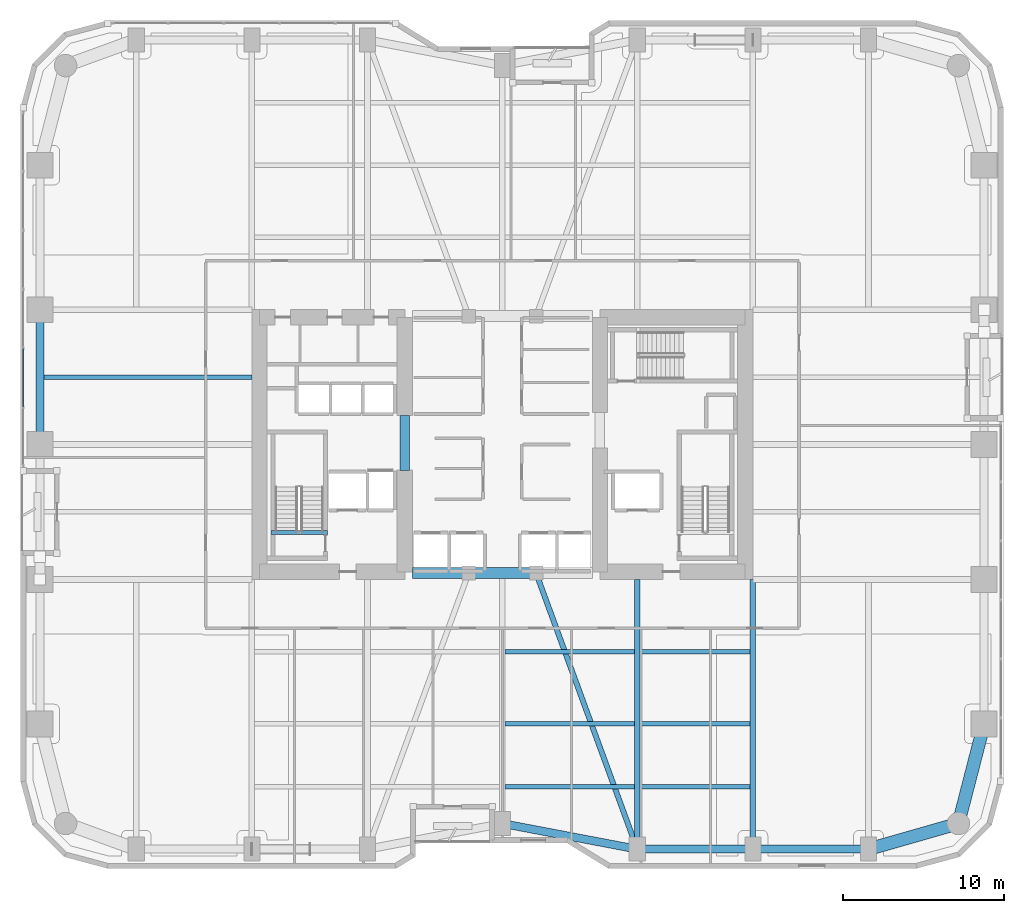
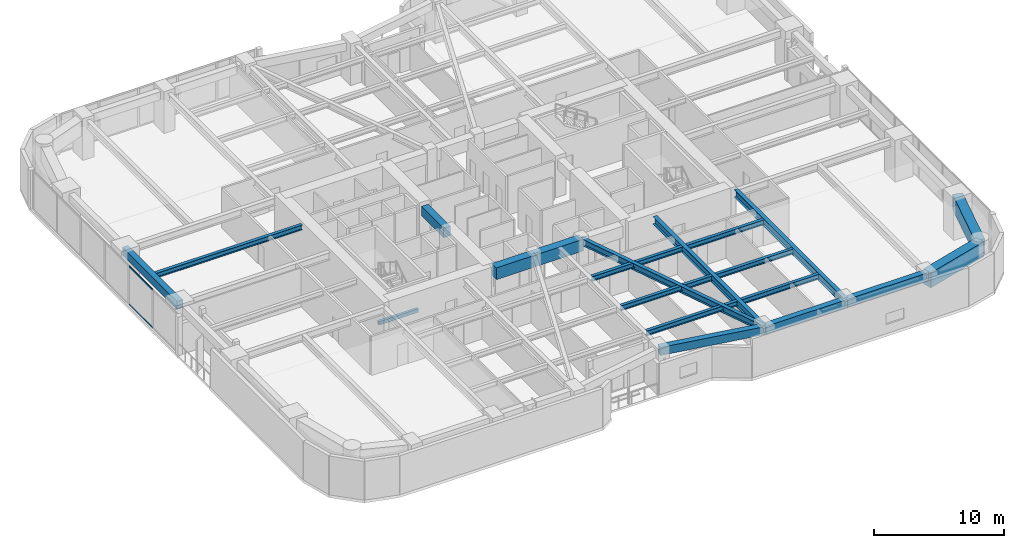
# One storey, part 3 of 28: 20 beams, 2 members, 1 element without a shape of its own.
"""IFC4 building model written with IfcOpenShell, lengths in metres."""

from ifc_helpers import new_model, si_unit, direction, frame, origin, origin_2d, place, context, subcontext, project, spatial, rectangle, hollow_rectangle, i_section, extrude, material, layer, layer_set, material_profile, profile_set, type_object, element, aggregate, save


model = new_model("IFC4")

# Units and contexts
model_context = context("Model", 3, precision=1e-05, world=origin(), true_north=direction((0.0, 1.0)))
body_context = subcontext(model_context, "Body", "Model", "MODEL_VIEW")
ifc_project = project(units=[si_unit("LENGTHUNIT", "METRE"), si_unit("AREAUNIT", "SQUARE_METRE"), si_unit("VOLUMEUNIT", "CUBIC_METRE"), si_unit("PLANEANGLEUNIT", "RADIAN"), si_unit("MASSUNIT", "GRAM", prefix="KILO")], contexts=[model_context])

# Site, building, storey
site_placement = place(None, origin())
site = spatial("IfcSite", under=ifc_project, at=site_placement, CompositionType="ELEMENT")
building_placement = place(site_placement, origin())
building = spatial("IfcBuilding", under=site, at=building_placement, Name="Kiyonajd Concourse Tower", CompositionType="ELEMENT")
storey_placement = place(building_placement, frame((0.0, 0.0, 64.5)))
storey = spatial("IfcBuildingStorey", under=building, at=storey_placement, Name="L17", CompositionType="ELEMENT", Elevation=64.5)

# Beams
ifc_material_1 = material(Name="Concrete C70/85", Category="concrete")
ifc_material_profile_1 = material_profile(ifc_material_1, rectangle(XDim=0.699951171875, YDim=1.10009765625, at=origin_2d()), Name="RCBM-700x1100")
ifc_profile_set_1 = profile_set([ifc_material_profile_1], Name="Concrete C70/85")
beam_type_1 = type_object("IfcBeamType", Name="BM-COUP-1100", PredefinedType="LINTEL", material=ifc_profile_set_1)
beam_1_placement = place(storey_placement, frame((42.39990234375, 28.0, 3.090087890625), z_axis=(1.0, 0.0, 0.0), x_axis=(0.0, 1.0, 0.0)))
element("IfcBeam", 1, at=beam_1_placement, inside=storey, type_object=beam_type_1, Name="L17 Core Coupling Beam S1", PredefinedType="LINTEL", context=body_context, shape_type="SweptSolid", body=[
    extrude(rectangle(XDim=0.699951171875, YDim=1.10009765625, at=origin_2d()), origin(), (0.0, 0.0, 1.0), 3.5),
])
beam_2_placement = place(storey_placement, frame((45.89990234375, 28.0, 3.090087890625), z_axis=(1.0, 0.0, 0.0), x_axis=(0.0, 1.0, 0.0)))
element("IfcBeam", 2, at=beam_2_placement, inside=storey, type_object=beam_type_1, Name="L17 Core Coupling Beam S2", PredefinedType="LINTEL", context=body_context, shape_type="SweptSolid", body=[
    extrude(rectangle(XDim=0.699951171875, YDim=1.10009765625, at=origin_2d()), origin(), (0.0, 0.0, 1.0), 4.2001953125),
])
ifc_material_2 = material(Name="Concrete C60/75", Category="concrete")
ifc_material_profile_2 = material_profile(ifc_material_2, rectangle(XDim=0.60009765625, YDim=0.89990234375, at=origin_2d()), Name="RCBM-600x900")
ifc_profile_set_2 = profile_set([ifc_material_profile_2], Name="Concrete C60/75")
beam_type_2 = type_object("IfcBeamType", Name="BM-COUP-900", PredefinedType="LINTEL", material=ifc_profile_set_2)
beam_3_placement = place(storey_placement, frame((41.925048828125, 34.39990234375, 3.090087890625), z_axis=(0.0, 1.0, 0.0), x_axis=(-1.0, 0.0, 0.0)))
element("IfcBeam", 3, at=beam_3_placement, inside=storey, type_object=beam_type_2, Name="L17 West Core Throat Coupling Lintel", PredefinedType="LINTEL", context=body_context, shape_type="SweptSolid", body=[
    extrude(rectangle(XDim=0.60009765625, YDim=0.89990234375, at=origin_2d()), origin(), (0.0, 0.0, 1.0), 3.400146484375),
])
ifc_material_3 = material(Name="Steel ASTM A992 Grade 50", Category="steel")
ifc_material_profile_3 = material_profile(ifc_material_3, i_section(OverallWidth=0.280029296875, OverallDepth=0.462890625, WebThickness=0.0107421875, FlangeThickness=0.017333984375, at=origin_2d()), Name="W460X113")
ifc_profile_set_3 = profile_set([ifc_material_profile_3], Name="Steel ASTM A992 Grade 50")
beam_type_3 = type_object("IfcBeamType", Name="BM-JST-460A", PredefinedType="JOIST", material=ifc_profile_set_3)
beam_4_placement = place(storey_placement, frame((48.177490234375, 14.699951171875, 3.408447265625), z_axis=(1.0, 0.0, 0.0), x_axis=(0.0, 1.0, 0.0)))
element("IfcBeam", 4, at=beam_4_placement, inside=storey, type_object=beam_type_3, Name="L17 Secondary Floor Joist", PredefinedType="JOIST", context=body_context, shape_type="SweptSolid", body=[
    extrude(i_section(OverallWidth=0.280029296875, OverallDepth=0.462890625, WebThickness=0.0107421875, FlangeThickness=0.017333984375, at=origin_2d()), origin(), (0.0, 0.0, 1.0), 8.044921875),
])
beam_5_placement = place(storey_placement, frame((56.577392578125, 14.699951171875, 3.408447265625), z_axis=(1.0, 0.0, 0.0), x_axis=(0.0, 1.0, 0.0)))
element("IfcBeam", 5, at=beam_5_placement, inside=storey, type_object=beam_type_3, Name="L17 Secondary Floor Joist", PredefinedType="JOIST", context=body_context, shape_type="SweptSolid", body=[
    extrude(i_section(OverallWidth=0.280029296875, OverallDepth=0.462890625, WebThickness=0.0107421875, FlangeThickness=0.017333984375, at=origin_2d()), origin(), (0.0, 0.0, 1.0), 6.84521484375),
])
beam_6_placement = place(storey_placement, frame((48.177490234375, 18.60009765625, 3.408447265625), z_axis=(1.0, 0.0, 0.0), x_axis=(0.0, 1.0, 0.0)))
element("IfcBeam", 6, at=beam_6_placement, inside=storey, type_object=beam_type_3, Name="L17 Secondary Floor Joist", PredefinedType="JOIST", context=body_context, shape_type="SweptSolid", body=[
    extrude(i_section(OverallWidth=0.280029296875, OverallDepth=0.462890625, WebThickness=0.0107421875, FlangeThickness=0.017333984375, at=origin_2d()), origin(), (0.0, 0.0, 1.0), 8.044921875),
])
beam_7_placement = place(storey_placement, frame((56.577392578125, 18.60009765625, 3.408447265625), z_axis=(1.0, 0.0, 0.0), x_axis=(0.0, 1.0, 0.0)))
element("IfcBeam", 7, at=beam_7_placement, inside=storey, type_object=beam_type_3, Name="L17 Secondary Floor Joist", PredefinedType="JOIST", context=body_context, shape_type="SweptSolid", body=[
    extrude(i_section(OverallWidth=0.280029296875, OverallDepth=0.462890625, WebThickness=0.0107421875, FlangeThickness=0.017333984375, at=origin_2d()), origin(), (0.0, 0.0, 1.0), 6.84521484375),
])
beam_8_placement = place(storey_placement, frame((48.177490234375, 23.10009765625, 3.408447265625), z_axis=(1.0, 0.0, 0.0), x_axis=(0.0, 1.0, 0.0)))
element("IfcBeam", 8, at=beam_8_placement, inside=storey, type_object=beam_type_3, Name="L17 Secondary Floor Joist", PredefinedType="JOIST", context=body_context, shape_type="SweptSolid", body=[
    extrude(i_section(OverallWidth=0.280029296875, OverallDepth=0.462890625, WebThickness=0.0107421875, FlangeThickness=0.017333984375, at=origin_2d()), origin(), (0.0, 0.0, 1.0), 8.044921875),
])
beam_9_placement = place(storey_placement, frame((56.577392578125, 23.10009765625, 3.408447265625), z_axis=(1.0, 0.0, 0.0), x_axis=(0.0, 1.0, 0.0)))
element("IfcBeam", 9, at=beam_9_placement, inside=storey, type_object=beam_type_3, Name="L17 Secondary Floor Joist", PredefinedType="JOIST", context=body_context, shape_type="SweptSolid", body=[
    extrude(i_section(OverallWidth=0.280029296875, OverallDepth=0.462890625, WebThickness=0.0107421875, FlangeThickness=0.017333984375, at=origin_2d()), origin(), (0.0, 0.0, 1.0), 6.84521484375),
])
beam_10_placement = place(storey_placement, frame((19.449951171875, 40.199951171875, 3.408447265625), z_axis=(1.0, 0.0, 0.0), x_axis=(0.0, 1.0, 0.0)))
element("IfcBeam", 10, at=beam_10_placement, inside=storey, type_object=beam_type_3, Name="L17 West Secondary Floor Joist", PredefinedType="JOIST", context=body_context, shape_type="SweptSolid", body=[
    extrude(i_section(OverallWidth=0.280029296875, OverallDepth=0.462890625, WebThickness=0.0107421875, FlangeThickness=0.017333984375, at=origin_2d()), origin(), (0.0, 0.0, 1.0), 12.949951171875),
])
ifc_material_4 = material(Name="Concrete C50/60", Category="concrete")
ifc_material_profile_4 = material_profile(ifc_material_4, rectangle(XDim=0.239990234375, YDim=0.320068359375, at=origin_2d()), Name="RCBM-240x320")
ifc_profile_set_4 = profile_set([ifc_material_profile_4], Name="Concrete C50/60")
beam_type_4 = type_object("IfcBeamType", Name="BM-LNT-250", PredefinedType="LINTEL", material=ifc_profile_set_4)
beam_11_placement = place(storey_placement, frame((33.590087890625, 30.530029296875, -0.159912109375), z_axis=(1.0, 0.0, 0.0), x_axis=(0.0, 1.0, 0.0)))
element("IfcBeam", 11, at=beam_11_placement, inside=storey, type_object=beam_type_4, Name="L17 Stair ST1 Threshold Support Beam", PredefinedType="LINTEL", context=body_context, shape_type="SweptSolid", body=[
    extrude(rectangle(XDim=0.239990234375, YDim=0.320068359375, at=origin_2d()), origin(), (0.0, 0.0, 1.0), 3.52001953125),
])
ifc_material_5 = material(Name="Precast concrete C50/60", Category="concrete")
ifc_material_profile_5 = material_profile(ifc_material_5, rectangle(XDim=0.5, YDim=0.75, at=origin_2d()), Name="RCBM-500x750")
ifc_profile_set_5 = profile_set([ifc_material_profile_5], Name="Precast concrete C50/60")
beam_type_5 = type_object("IfcBeamType", Name="BM-SPAN-RC", PredefinedType="SPANDREL", material=ifc_profile_set_5)
beam_12_placement = place(storey_placement, frame((48.0, 12.39990234375, 3.264892578125), z_axis=(0.982341315253, -0.187097675953, 0.0), x_axis=(0.187097675953, 0.982341315253, 0.0)))
element("IfcBeam", 12, at=beam_12_placement, inside=storey, type_object=beam_type_5, Name="L17 Perimeter Bundled Tube Spandrel", PredefinedType="SPANDREL", context=body_context, shape_type="SweptSolid", body=[
    extrude(rectangle(XDim=0.5, YDim=0.75, at=origin_2d()), origin(), (0.0, 0.0, 1.0), 8.55078125),
])
beam_13_placement = place(storey_placement, frame((56.39990234375, 10.800048828125, 3.264892578125), z_axis=(1.0, 0.0, 0.0), x_axis=(0.0, 1.0, 0.0)))
element("IfcBeam", 13, at=beam_13_placement, inside=storey, type_object=beam_type_5, Name="L17 Perimeter Bundled Tube Spandrel", PredefinedType="SPANDREL", context=body_context, shape_type="SweptSolid", body=[
    extrude(rectangle(XDim=0.5, YDim=0.75, at=origin_2d()), origin(), (0.0, 0.0, 1.0), 7.2001953125),
])
beam_14_placement = place(storey_placement, frame((63.60009765625, 10.800048828125, 3.264892578125), z_axis=(1.0, 0.0, 0.0), x_axis=(0.0, 1.0, 0.0)))
element("IfcBeam", 14, at=beam_14_placement, inside=storey, type_object=beam_type_5, Name="L17 Perimeter Bundled Tube Spandrel", PredefinedType="SPANDREL", context=body_context, shape_type="SweptSolid", body=[
    extrude(rectangle(XDim=0.5, YDim=0.75, at=origin_2d()), origin(), (0.0, 0.0, 1.0), 7.199951171875),
])
beam_15_placement = place(storey_placement, frame((19.199951171875, 44.39990234375, 3.264892578125), z_axis=(0.0, -1.0, 0.0), x_axis=(1.0, 0.0, 0.0)))
element("IfcBeam", 15, at=beam_15_placement, inside=storey, type_object=beam_type_5, Name="L17 Perimeter Bundled Tube Spandrel", PredefinedType="SPANDREL", context=body_context, shape_type="SweptSolid", body=[
    extrude(rectangle(XDim=0.5, YDim=0.75, at=origin_2d()), origin(), (0.0, 0.0, 1.0), 8.39990234375),
])
ifc_material_profile_6 = material_profile(ifc_material_3, i_section(OverallWidth=0.326904296875, OverallDepth=0.6220703125, WebThickness=0.015380859375, FlangeThickness=0.0244140625, at=origin_2d()), Name="W610X195")
ifc_profile_set_6 = profile_set([ifc_material_profile_6], Name="Steel ASTM A992 Grade 50")
beam_type_6 = type_object("IfcBeamType", Name="BM-TWR-610A", PredefinedType="BEAM", material=ifc_profile_set_6)
beam_16_placement = place(storey_placement, frame((50.10009765625, 28.0, 3.3291015625), z_axis=(0.343925269715, -0.938997022813, 0.0), x_axis=(0.938997022813, 0.343925269715, 0.0)))
element("IfcBeam", 16, at=beam_16_placement, inside=storey, type_object=beam_type_6, Name="L17 Core Tie Girder", PredefinedType="BEAM", context=body_context, shape_type="SweptSolid", body=[
    extrude(i_section(OverallWidth=0.326904296875, OverallDepth=0.6220703125, WebThickness=0.015380859375, FlangeThickness=0.0244140625, at=origin_2d()), origin(), (0.0, 0.0, 1.0), 18.3173828125),
])
ifc_material_profile_7 = material_profile(ifc_material_3, i_section(OverallWidth=0.35498046875, OverallDepth=0.695068359375, WebThickness=0.015380859375, FlangeThickness=0.02490234375, at=origin_2d()), Name="W690X217")
ifc_profile_set_7 = profile_set([ifc_material_profile_7], Name="Steel ASTM A992 Grade 50")
beam_type_7 = type_object("IfcBeamType", Name="BM-TWR-690", PredefinedType="BEAM", material=ifc_profile_set_7)
for number, where, z_axis, x_axis, name in (
    (17, (56.39990234375, 10.800048828125, 3.29248046875), (0.0, 1.0, 0.0), (-1.0, 0.0, 0.0), "L17 South Lease Girder"),
    (18, (63.60009765625, 10.800048828125, 3.29248046875), (0.0, 1.0, 0.0), (-1.0, 0.0, 0.0), "L17 South Lease Girder"),
):
    element("IfcBeam", number, at=place(storey_placement, frame(where, z_axis=z_axis, x_axis=x_axis)), inside=storey, type_object=beam_type_7, Name=name, PredefinedType="BEAM", context=body_context, shape_type="SweptSolid", body=[
        extrude(i_section(OverallWidth=0.35498046875, OverallDepth=0.695068359375, WebThickness=0.015380859375, FlangeThickness=0.02490234375, at=origin_2d()), origin(), (0.0, 0.0, 1.0), 16.800048828125),
    ])
ifc_material_profile_8 = material_profile(ifc_material_2, rectangle(XDim=0.800048828125, YDim=1.39990234375, at=origin_2d()), Name="RCBM-800x1400")
ifc_profile_set_8 = profile_set([ifc_material_profile_8], Name="Concrete C60/75")
beam_type_8 = type_object("IfcBeamType", Name="BM-XFER-RC", PredefinedType="BEAM", material=ifc_profile_set_8)
beam_17_placement = place(storey_placement, frame((70.800048828125, 10.800048828125, 2.93994140625), z_axis=(0.961528693205, 0.274704517878, 0.0), x_axis=(-0.274704517878, 0.961528693205, 0.0)))
element("IfcBeam", 19, at=beam_17_placement, inside=storey, type_object=beam_type_8, Name="L17 Perimeter Bundled Tube Spandrel", PredefinedType="BEAM", context=body_context, shape_type="SweptSolid", body=[
    extrude(rectangle(XDim=0.800048828125, YDim=1.39990234375, at=origin_2d()), origin(), (0.0, 0.0, 1.0), 5.823974609375),
])
beam_18_placement = place(storey_placement, frame((76.39990234375, 12.39990234375, 2.93994140625), z_axis=(0.249884937687, 0.968275538221, 0.0), x_axis=(-0.968275538221, 0.249884937687, 0.0)))
element("IfcBeam", 20, at=beam_18_placement, inside=storey, type_object=beam_type_8, Name="L17 Perimeter Bundled Tube Spandrel", PredefinedType="BEAM", context=body_context, shape_type="SweptSolid", body=[
    extrude(rectangle(XDim=0.800048828125, YDim=1.39990234375, at=origin_2d()), origin(), (0.0, 0.0, 1.0), 6.4033203125),
])

# Curtain wall, members
ifc_material_6 = material(Name="Thermally Broken Anodised Aluminium", Category="aluminium")
ifc_layer = layer(ifc_material_6, 0.179931640625)
ifc_layer_set = layer_set([ifc_layer], Name="Thermally Broken Anodised Aluminium")
curtain_wall_type = type_object("IfcCurtainWallType", Name="CW-SYS-02", PredefinedType="NOTDEFINED", material=ifc_layer_set)
curtain_wall_placement = place(storey_placement, origin())
curtain_wall = element("IfcCurtainWall", 21, at=curtain_wall_placement, inside=storey, type_object=curtain_wall_type, Name="L17 Unitised Curtain Wall CW2", PredefinedType="NOTDEFINED")
ifc_material_profile_9 = material_profile(ifc_material_6, hollow_rectangle(XDim=0.06494140625, YDim=0.139892578125, WallThickness=0.00390625, at=origin_2d()), Name="TRAN-65x140")
ifc_profile_set_9 = profile_set([ifc_material_profile_9], Name="Thermally Broken Anodised Aluminium")
member_type = type_object("IfcMemberType", Name="MB-CW-TRAN1", PredefinedType="USERDEFINED", material=ifc_profile_set_9)
member_1_placement = place(storey_placement, frame((18.159912109375, 38.355712890625, 0.032470703125), z_axis=(0.0, 1.0, 0.0), x_axis=(-1.0, 0.0, 0.0)))
member_1 = element("IfcMember", 22, at=member_1_placement, type_object=member_type, Name="CW2 transom 2.1", ObjectType="TRANSOM", PredefinedType="USERDEFINED", context=body_context, shape_type="SweptSolid", body=[
    extrude(hollow_rectangle(XDim=0.06494140625, YDim=0.139892578125, WallThickness=0.00390625, at=origin_2d()), origin(), (0.0, 0.0, 1.0), 3.608154296875),
])
member_2_placement = place(storey_placement, frame((18.159912109375, 38.355712890625, 3.607421875), z_axis=(0.0, 1.0, 0.0), x_axis=(-1.0, 0.0, 0.0)))
member_2 = element("IfcMember", 23, at=member_2_placement, type_object=member_type, Name="CW2 transom 2.2", ObjectType="TRANSOM", PredefinedType="USERDEFINED", context=body_context, shape_type="SweptSolid", body=[
    extrude(hollow_rectangle(XDim=0.06494140625, YDim=0.139892578125, WallThickness=0.00390625, at=origin_2d()), origin(), (0.0, 0.0, 1.0), 3.608154296875),
])
aggregate(curtain_wall, [member_1, member_2])

save(model, "model.ifc")
